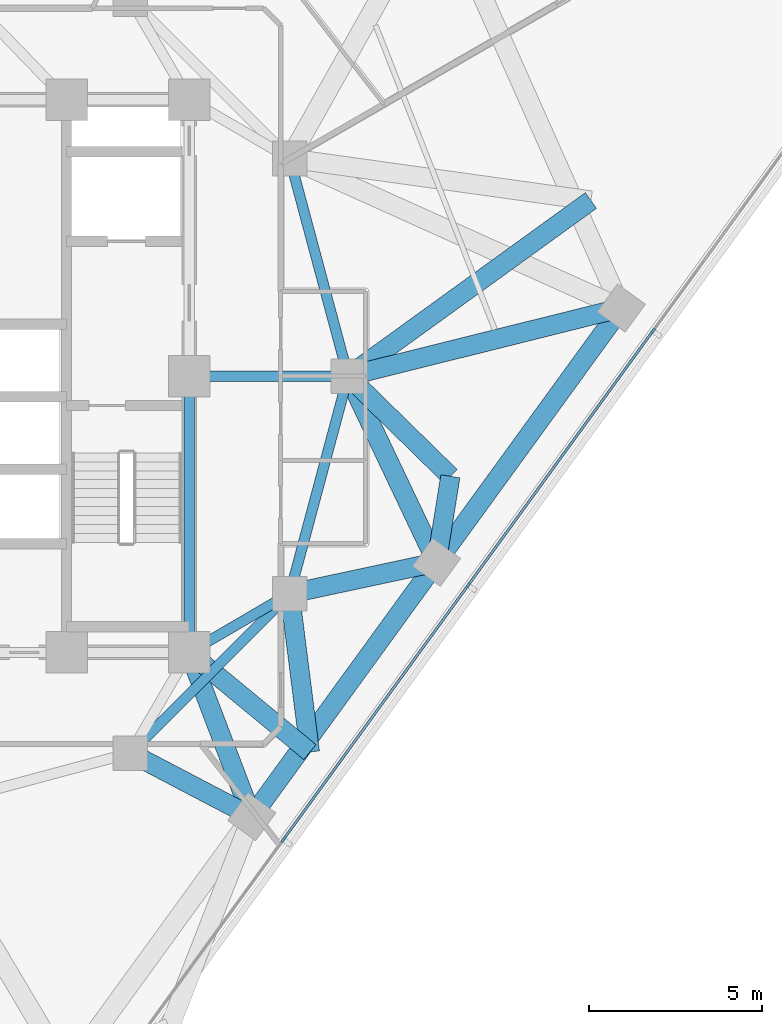
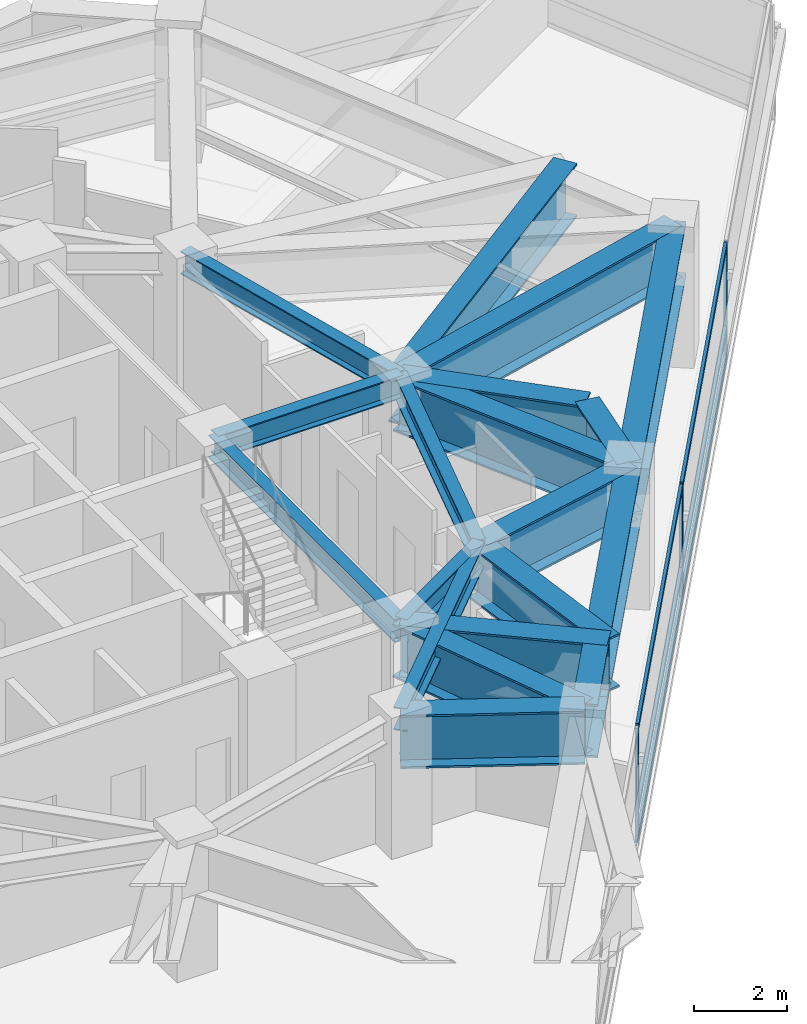
# One storey, part 4 of 14: 18 beams, 9 members, 1 element without a shape of its own.
"""IFC4 building model written with IfcOpenShell, lengths in metres."""

from ifc_helpers import new_model, si_unit, direction, frame, origin, origin_2d, place, context, subcontext, project, spatial, rectangle, i_section, extrude, material, layer, layer_set, material_profile, profile_set, type_object, element, aggregate, save


model = new_model("IFC4")

# Units and contexts
model_context = context("Model", 3, precision=1e-05, world=origin(), true_north=direction((0.0, 1.0)))
body_context = subcontext(model_context, "Body", "Model", "MODEL_VIEW")
ifc_project = project(units=[si_unit("LENGTHUNIT", "METRE"), si_unit("AREAUNIT", "SQUARE_METRE"), si_unit("VOLUMEUNIT", "CUBIC_METRE"), si_unit("PLANEANGLEUNIT", "RADIAN"), si_unit("MASSUNIT", "GRAM", prefix="KILO")], contexts=[model_context])

# Site, building, storey
site_placement = place(None, origin())
site = spatial("IfcSite", under=ifc_project, at=site_placement, CompositionType="ELEMENT")
building_placement = place(site_placement, origin())
building = spatial("IfcBuilding", under=site, at=building_placement, Name="Terralouvre Media Tower", CompositionType="ELEMENT")
storey_placement = place(building_placement, frame((0.0, 0.0, 244.800048828125)))
storey = spatial("IfcBuildingStorey", under=building, at=storey_placement, Name="L63", CompositionType="ELEMENT", Elevation=244.800048828125)

# Curtain wall, members
ifc_material_1 = material(Name="Low-iron laminated double glazing with solar-control coating", Category="glass")
ifc_layer = layer(ifc_material_1, 0.1650390625, Name="Upper Executive Tower Curtain Wall CW-05")
ifc_layer_set = layer_set([ifc_layer], Name="Low-iron laminated double glazing with solar-control coating")
curtain_wall_type = type_object("IfcCurtainWallType", Name="Upper Executive Tower Curtain Wall CW-05", PredefinedType="NOTDEFINED", material=ifc_layer_set)
curtain_wall_placement = place(storey_placement, origin())
curtain_wall = element("IfcCurtainWall", 1, at=curtain_wall_placement, inside=storey, type_object=curtain_wall_type, Name="L63 Facade Curtain Wall F0", PredefinedType="NOTDEFINED")
ifc_material_2 = material(Name="Anodised extruded aluminium 6063-T6", Category="aluminium")
ifc_material_profile_1 = material_profile(ifc_material_2, rectangle(XDim=0.074951171875, YDim=0.14990234375, at=origin_2d()), Name="ALU 75x150")
ifc_profile_set_1 = profile_set([ifc_material_profile_1], Name="Anodised extruded aluminium 6063-T6")
member_type_1 = type_object("IfcMemberType", Name="Curtain-Wall Horizontal Transom TR-150", PredefinedType="USERDEFINED", material=ifc_profile_set_1)
member_1_placement = place(storey_placement, frame((10.748779296875, -13.38720703125, 0.037353515625), z_axis=(0.587772727709, 0.809026093869, 0.0), x_axis=(-0.809026093869, 0.587772727709, 0.0)))
member_1 = element("IfcMember", 2, at=member_1_placement, type_object=member_type_1, Name="CW-05 transom 3.1", ObjectType="TRANSOM", PredefinedType="USERDEFINED", context=body_context, shape_type="SweptSolid", body=[
    extrude(rectangle(XDim=0.074951171875, YDim=0.14990234375, at=origin_2d()), origin(), (0.0, 0.0, 1.0), 9.025146484375),
])
member_2_placement = place(storey_placement, frame((10.748779296875, -13.38720703125, 0.800048828125), z_axis=(0.587772727709, 0.809026093869, 0.0), x_axis=(-0.809026093869, 0.587772727709, 0.0)))
member_2 = element("IfcMember", 3, at=member_2_placement, type_object=member_type_1, Name="CW-05 transom 3.2", ObjectType="TRANSOM", PredefinedType="USERDEFINED", context=body_context, shape_type="SweptSolid", body=[
    extrude(rectangle(XDim=0.074951171875, YDim=0.14990234375, at=origin_2d()), origin(), (0.0, 0.0, 1.0), 9.025146484375),
])
member_3_placement = place(storey_placement, frame((10.748779296875, -13.38720703125, 2.96240234375), z_axis=(0.587772727709, 0.809026093869, 0.0), x_axis=(-0.809026093869, 0.587772727709, 0.0)))
member_3 = element("IfcMember", 4, at=member_3_placement, type_object=member_type_1, Name="CW-05 transom 3.3", ObjectType="TRANSOM", PredefinedType="USERDEFINED", context=body_context, shape_type="SweptSolid", body=[
    extrude(rectangle(XDim=0.074951171875, YDim=0.14990234375, at=origin_2d()), origin(), (0.0, 0.0, 1.0), 9.025146484375),
])
member_4_placement = place(storey_placement, frame((16.09765625, -6.025146484375, 0.037353515625), z_axis=(0.587772727709, 0.809026093869, 0.0), x_axis=(-0.809026093869, 0.587772727709, 0.0)))
member_4 = element("IfcMember", 5, at=member_4_placement, type_object=member_type_1, Name="CW-05 transom 4.1", ObjectType="TRANSOM", PredefinedType="USERDEFINED", context=body_context, shape_type="SweptSolid", body=[
    extrude(rectangle(XDim=0.074951171875, YDim=0.14990234375, at=origin_2d()), origin(), (0.0, 0.0, 1.0), 9.025146484375),
])
member_5_placement = place(storey_placement, frame((16.09765625, -6.025146484375, 0.800048828125), z_axis=(0.587772727709, 0.809026093869, 0.0), x_axis=(-0.809026093869, 0.587772727709, 0.0)))
member_5 = element("IfcMember", 6, at=member_5_placement, type_object=member_type_1, Name="CW-05 transom 4.2", ObjectType="TRANSOM", PredefinedType="USERDEFINED", context=body_context, shape_type="SweptSolid", body=[
    extrude(rectangle(XDim=0.074951171875, YDim=0.14990234375, at=origin_2d()), origin(), (0.0, 0.0, 1.0), 9.025146484375),
])
member_6_placement = place(storey_placement, frame((16.09765625, -6.025146484375, 2.96240234375), z_axis=(0.587772727709, 0.809026093869, 0.0), x_axis=(-0.809026093869, 0.587772727709, 0.0)))
member_6 = element("IfcMember", 7, at=member_6_placement, type_object=member_type_1, Name="CW-05 transom 4.3", ObjectType="TRANSOM", PredefinedType="USERDEFINED", context=body_context, shape_type="SweptSolid", body=[
    extrude(rectangle(XDim=0.074951171875, YDim=0.14990234375, at=origin_2d()), origin(), (0.0, 0.0, 1.0), 9.025146484375),
])
ifc_material_3 = material(Name="Anodised extruded aluminium 6063-T6", Category="aluminium")
ifc_material_profile_2 = material_profile(ifc_material_3, rectangle(XDim=0.074951171875, YDim=0.179931640625, at=origin_2d()), Name="ALU 75x180")
ifc_profile_set_2 = profile_set([ifc_material_profile_2], Name="Anodised extruded aluminium 6063-T6")
member_type_2 = type_object("IfcMemberType", Name="Curtain-Wall Vertical Mullion ML-180", PredefinedType="MULLION", material=ifc_profile_set_2)
member_7_placement = place(storey_placement, frame((10.726806640625, -13.41748046875, 0.0), z_axis=(0.0, 0.0, 1.0), x_axis=(-0.809016959074, 0.587785300879, 0.0)))
member_7 = element("IfcMember", 8, at=member_7_placement, type_object=member_type_2, Name="CW-05 mullion 3", PredefinedType="MULLION", context=body_context, shape_type="SweptSolid", body=[
    extrude(rectangle(XDim=0.074951171875, YDim=0.179931640625, at=origin_2d()), origin(), (0.0, 0.0, 1.0), 3.0),
])
member_8_placement = place(storey_placement, frame((16.075439453125, -6.055419921875, 0.0), z_axis=(0.0, 0.0, 1.0), x_axis=(-0.809016959074, 0.587785300879, 0.0)))
member_8 = element("IfcMember", 9, at=member_8_placement, type_object=member_type_2, Name="CW-05 mullion 4", PredefinedType="MULLION", context=body_context, shape_type="SweptSolid", body=[
    extrude(rectangle(XDim=0.074951171875, YDim=0.179931640625, at=origin_2d()), origin(), (0.0, 0.0, 1.0), 3.0),
])
member_9_placement = place(storey_placement, frame((21.42431640625, 1.306640625, 0.0), z_axis=(0.0, 0.0, 1.0), x_axis=(-0.809016959074, 0.587785300879, 0.0)))
member_9 = element("IfcMember", 10, at=member_9_placement, type_object=member_type_2, Name="CW-05 mullion 5", PredefinedType="MULLION", context=body_context, shape_type="SweptSolid", body=[
    extrude(rectangle(XDim=0.074951171875, YDim=0.179931640625, at=origin_2d()), origin(), (0.0, 0.0, 1.0), 3.0),
])
aggregate(curtain_wall, [member_7, member_8, member_9, member_1, member_2, member_3, member_4, member_5, member_6])

# Beams
ifc_material_4 = material(Name="Structural steel S460M", Category="steel")
ifc_material_profile_3 = material_profile(ifc_material_4, i_section(OverallWidth=0.300048828125, OverallDepth=0.60009765625, WebThickness=0.015380859375, FlangeThickness=0.030029296875, at=origin_2d()), Name="HEB 600")
ifc_profile_set_3 = profile_set([ifc_material_profile_3], Name="Structural steel S460M")
beam_type_1 = type_object("IfcBeamType", Name="Primary Floor Girder B-HEB600 (HEB 600)", PredefinedType="BEAM", material=ifc_profile_set_3)
beam_1_placement = place(storey_placement, frame((8.0, -8.0, 3.199951171875), z_axis=(0.0, 1.0, 0.0), x_axis=(-1.0, 0.0, 0.0)))
element("IfcBeam", 11, at=beam_1_placement, inside=storey, type_object=beam_type_1, Name="L63 Framing Beam BM-L63-CPR04", PredefinedType="BEAM", context=body_context, shape_type="SweptSolid", body=[
    extrude(i_section(OverallWidth=0.300048828125, OverallDepth=0.60009765625, WebThickness=0.015380859375, FlangeThickness=0.030029296875, at=origin_2d()), origin(), (0.0, 0.0, 1.0), 8.0),
])
beam_2_placement = place(storey_placement, frame((6.300048828125, -10.911865234375, 3.199951171875), z_axis=(0.707106781187, 0.707106781187, 0.0), x_axis=(-0.707106781187, 0.707106781187, 0.0)))
element("IfcBeam", 12, at=beam_2_placement, inside=storey, type_object=beam_type_1, Name="L63 Framing Beam BM-L63-MR04", PredefinedType="BEAM", context=body_context, shape_type="SweptSolid", body=[
    extrude(i_section(OverallWidth=0.300048828125, OverallDepth=0.60009765625, WebThickness=0.015380859375, FlangeThickness=0.030029296875, at=origin_2d()), origin(), (0.0, 0.0, 1.0), 6.52197265625),
])
for number, where, z_axis, x_axis, name in (
    (13, (10.911865234375, -6.300048828125, 3.199951171875), (0.258838989821, 0.965920481897, 0.0), (-0.965920481897, 0.258838989821, 0.0), "L63 Framing Beam BM-L63-MR05"),
    (14, (12.60009765625, 0.0, 3.199951171875), (-0.258838989821, 0.965920481897, 0.0), (-0.965920481897, -0.258838989821, 0.0), "L63 Framing Beam BM-L63-MR06"),
):
    element("IfcBeam", number, at=place(storey_placement, frame(where, z_axis=z_axis, x_axis=x_axis)), inside=storey, type_object=beam_type_1, Name=name, PredefinedType="BEAM", context=body_context, shape_type="SweptSolid", body=[
        extrude(i_section(OverallWidth=0.300048828125, OverallDepth=0.60009765625, WebThickness=0.015380859375, FlangeThickness=0.030029296875, at=origin_2d()), origin(), (0.0, 0.0, 1.0), 6.522216796875),
    ])
beam_3_placement = place(storey_placement, frame((8.0, -8.0, 3.199951171875), z_axis=(0.863602894532, 0.504172629717, 0.0), x_axis=(-0.504172629717, 0.863602894532, 0.0)))
element("IfcBeam", 15, at=beam_3_placement, inside=storey, type_object=beam_type_1, Name="L63 Framing Beam BM-L63-CM05", PredefinedType="BEAM", context=body_context, shape_type="SweptSolid", body=[
    extrude(i_section(OverallWidth=0.300048828125, OverallDepth=0.60009765625, WebThickness=0.015380859375, FlangeThickness=0.030029296875, at=origin_2d()), origin(), (0.0, 0.0, 1.0), 3.371826171875),
])
beam_4_placement = place(storey_placement, frame((8.0, 0.0, 3.199951171875), z_axis=(1.0, 0.0, 0.0), x_axis=(0.0, 1.0, 0.0)))
element("IfcBeam", 16, at=beam_4_placement, inside=storey, type_object=beam_type_1, Name="L63 Framing Beam BM-L63-CM06", PredefinedType="BEAM", context=body_context, shape_type="SweptSolid", body=[
    extrude(i_section(OverallWidth=0.300048828125, OverallDepth=0.60009765625, WebThickness=0.015380859375, FlangeThickness=0.030029296875, at=origin_2d()), origin(), (0.0, 0.0, 1.0), 4.60009765625),
])
ifc_material_5 = material(Name="Structural steel S460M", Category="steel")
ifc_material_profile_4 = material_profile(ifc_material_5, i_section(OverallWidth=0.56005859375, OverallDepth=1.39990234375, WebThickness=0.031982421875, FlangeThickness=0.050048828125, at=origin_2d()), Name="TG 1400x560")
ifc_profile_set_4 = profile_set([ifc_material_profile_4], Name="Structural steel S460M")
beam_type_2 = type_object("IfcBeamType", Name="Welded Transfer Girder TG-1400 (TG 1400x560)", PredefinedType="USERDEFINED", material=ifc_profile_set_4)
for number, where, z_axis, x_axis, name in (
    (17, (9.8125, -12.75341796875, 2.800048828125), (0.587787185033, 0.809015590153, 0.0), (-0.809015590153, 0.587787185033, 0.0), "L63 Framing Beam BM-L63-PR05"),
    (18, (15.161376953125, -5.391357421875, 2.800048828125), (0.587787185033, 0.809015590153, 0.0), (-0.809015590153, 0.587787185033, 0.0), "L63 Framing Beam BM-L63-PR06"),
):
    element("IfcBeam", number, at=place(storey_placement, frame(where, z_axis=z_axis, x_axis=x_axis)), inside=storey, type_object=beam_type_2, Name=name, ObjectType="TRANSFER GIRDER", PredefinedType="USERDEFINED", context=body_context, shape_type="SweptSolid", body=[
        extrude(i_section(OverallWidth=0.56005859375, OverallDepth=1.39990234375, WebThickness=0.031982421875, FlangeThickness=0.050048828125, at=origin_2d()), origin(), (0.0, 0.0, 1.0), 9.10009765625),
    ])
beam_5_placement = place(storey_placement, frame((6.300048828125, -10.911865234375, 2.800048828125), z_axis=(0.885655556229, -0.464342799794, 0.0), x_axis=(0.464342799794, 0.885655556229, 0.0)))
element("IfcBeam", 19, at=beam_5_placement, inside=storey, type_object=beam_type_2, Name="L63 Framing Beam BM-L63-RD05", ObjectType="TRANSFER GIRDER", PredefinedType="USERDEFINED", context=body_context, shape_type="SweptSolid", body=[
    extrude(i_section(OverallWidth=0.56005859375, OverallDepth=1.39990234375, WebThickness=0.031982421875, FlangeThickness=0.050048828125, at=origin_2d()), origin(), (0.0, 0.0, 1.0), 3.9658203125),
])
beam_6_placement = place(storey_placement, frame((10.911865234375, -6.300048828125, 2.800048828125), z_axis=(0.977892761282, 0.209107023871, 0.0), x_axis=(-0.209107023871, 0.977892761282, 0.0)))
element("IfcBeam", 20, at=beam_6_placement, inside=storey, type_object=beam_type_2, Name="L63 Framing Beam BM-L63-RD06", ObjectType="TRANSFER GIRDER", PredefinedType="USERDEFINED", context=body_context, shape_type="SweptSolid", body=[
    extrude(i_section(OverallWidth=0.56005859375, OverallDepth=1.39990234375, WebThickness=0.031982421875, FlangeThickness=0.050048828125, at=origin_2d()), origin(), (0.0, 0.0, 1.0), 4.345458984375),
])
beam_7_placement = place(storey_placement, frame((12.60009765625, 0.0, 2.800048828125), z_axis=(0.970339488521, 0.24174630714, 0.0), x_axis=(-0.24174630714, 0.970339488521, 0.0)))
element("IfcBeam", 21, at=beam_7_placement, inside=storey, type_object=beam_type_2, Name="L63 Framing Beam BM-L63-RD07", ObjectType="TRANSFER GIRDER", PredefinedType="USERDEFINED", context=body_context, shape_type="SweptSolid", body=[
    extrude(i_section(OverallWidth=0.56005859375, OverallDepth=1.39990234375, WebThickness=0.031982421875, FlangeThickness=0.050048828125, at=origin_2d()), origin(), (0.0, 0.0, 1.0), 8.15185546875),
])
beam_8_placement = place(storey_placement, frame((9.8125, -12.75341796875, 2.800048828125), z_axis=(-0.356282684553, 0.934378215011, 0.0), x_axis=(-0.934378215011, -0.356282684553, 0.0)))
element("IfcBeam", 22, at=beam_8_placement, inside=storey, type_object=beam_type_2, Name="L63 Framing Beam BM-L63-TRC02", ObjectType="TRANSFER GIRDER", PredefinedType="USERDEFINED", context=body_context, shape_type="SweptSolid", body=[
    extrude(i_section(OverallWidth=0.56005859375, OverallDepth=1.39990234375, WebThickness=0.031982421875, FlangeThickness=0.050048828125, at=origin_2d()), origin(), (0.0, 0.0, 1.0), 5.087158203125),
])
beam_9_placement = place(storey_placement, frame((11.493896484375, -10.884521484375, 2.800048828125), z_axis=(-0.771150376371, 0.636653042892, 0.0), x_axis=(-0.636653042892, -0.771150376371, 0.0)))
element("IfcBeam", 23, at=beam_9_placement, inside=storey, type_object=beam_type_2, Name="L63 Framing Beam BM-L63-TR02S1", ObjectType="TRANSFER GIRDER", PredefinedType="USERDEFINED", context=body_context, shape_type="SweptSolid", body=[
    extrude(i_section(OverallWidth=0.56005859375, OverallDepth=1.39990234375, WebThickness=0.031982421875, FlangeThickness=0.050048828125, at=origin_2d()), origin(), (0.0, 0.0, 1.0), 4.53076171875),
])
beam_10_placement = place(storey_placement, frame((11.493896484375, -10.884521484375, 2.800048828125), z_axis=(-0.125946128673, 0.992037082307, 0.0), x_axis=(-0.992037082307, -0.125946128673, 0.0)))
element("IfcBeam", 24, at=beam_10_placement, inside=storey, type_object=beam_type_2, Name="L63 Framing Beam BM-L63-TR02S2", ObjectType="TRANSFER GIRDER", PredefinedType="USERDEFINED", context=body_context, shape_type="SweptSolid", body=[
    extrude(i_section(OverallWidth=0.56005859375, OverallDepth=1.39990234375, WebThickness=0.031982421875, FlangeThickness=0.050048828125, at=origin_2d()), origin(), (0.0, 0.0, 1.0), 4.621337890625),
])
beam_11_placement = place(storey_placement, frame((15.161376953125, -5.391357421875, 2.800048828125), z_axis=(-0.429109376106, 0.90325253575, 0.0), x_axis=(-0.90325253575, -0.429109376106, 0.0)))
element("IfcBeam", 25, at=beam_11_placement, inside=storey, type_object=beam_type_2, Name="L63 Framing Beam BM-L63-TRC03", ObjectType="TRANSFER GIRDER", PredefinedType="USERDEFINED", context=body_context, shape_type="SweptSolid", body=[
    extrude(i_section(OverallWidth=0.56005859375, OverallDepth=1.39990234375, WebThickness=0.031982421875, FlangeThickness=0.050048828125, at=origin_2d()), origin(), (0.0, 0.0, 1.0), 5.96875),
])
beam_12_placement = place(storey_placement, frame((15.561767578125, -2.901123046875, 2.800048828125), z_axis=(-0.158745494179, -0.987319536968, 0.0), x_axis=(0.987319536968, -0.158745494179, 0.0)))
element("IfcBeam", 26, at=beam_12_placement, inside=storey, type_object=beam_type_2, Name="L63 Framing Beam BM-L63-TR03S1", ObjectType="TRANSFER GIRDER", PredefinedType="USERDEFINED", context=body_context, shape_type="SweptSolid", body=[
    extrude(i_section(OverallWidth=0.56005859375, OverallDepth=1.39990234375, WebThickness=0.031982421875, FlangeThickness=0.050048828125, at=origin_2d()), origin(), (0.0, 0.0, 1.0), 2.522216796875),
])
beam_13_placement = place(storey_placement, frame((15.561767578125, -2.901123046875, 2.800048828125), z_axis=(-0.71437119745, 0.699766955675, 0.0), x_axis=(-0.699766955675, -0.71437119745, 0.0)))
element("IfcBeam", 27, at=beam_13_placement, inside=storey, type_object=beam_type_2, Name="L63 Framing Beam BM-L63-TR03S2", ObjectType="TRANSFER GIRDER", PredefinedType="USERDEFINED", context=body_context, shape_type="SweptSolid", body=[
    extrude(i_section(OverallWidth=0.56005859375, OverallDepth=1.39990234375, WebThickness=0.031982421875, FlangeThickness=0.050048828125, at=origin_2d()), origin(), (0.0, 0.0, 1.0), 4.145751953125),
])
beam_14_placement = place(storey_placement, frame((19.62939453125, 5.082275390625, 2.800048828125), z_axis=(-0.810374824206, -0.585911805901, 0.0), x_axis=(0.585911805901, -0.810374824206, 0.0)))
element("IfcBeam", 28, at=beam_14_placement, inside=storey, type_object=beam_type_2, Name="L63 Framing Beam BM-L63-TR04S1", ObjectType="TRANSFER GIRDER", PredefinedType="USERDEFINED", context=body_context, shape_type="SweptSolid", body=[
    extrude(i_section(OverallWidth=0.56005859375, OverallDepth=1.39990234375, WebThickness=0.031982421875, FlangeThickness=0.050048828125, at=origin_2d()), origin(), (0.0, 0.0, 1.0), 8.674072265625),
])

save(model, "model.ifc")
